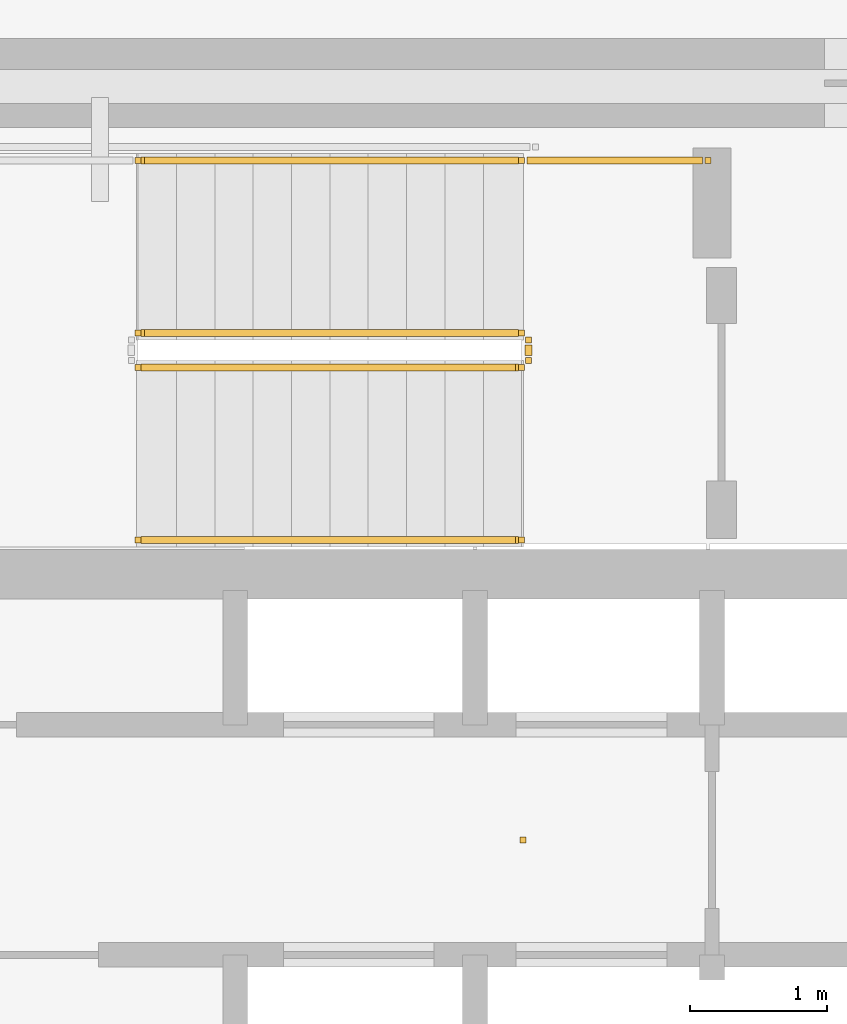
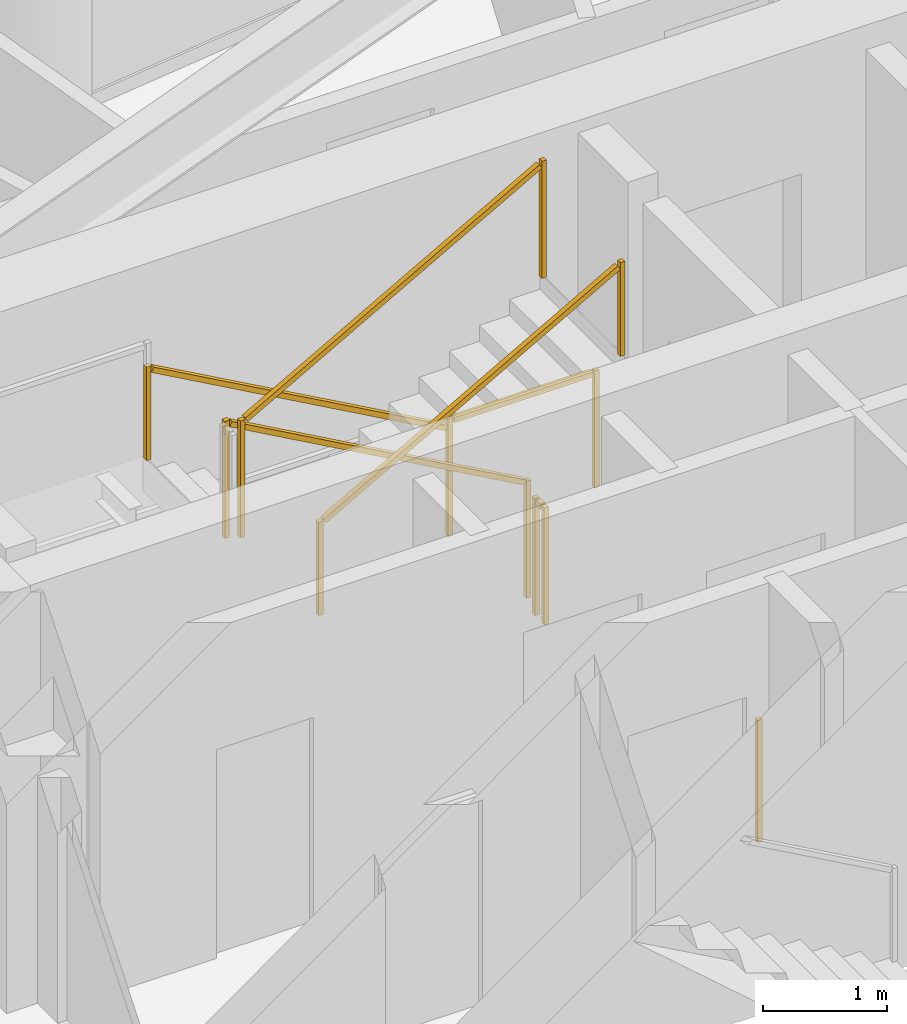
# One storey, part 9 of 10: 7 railings.
"""IFC4 building model written with IfcOpenShell, lengths in metres."""

from ifc_helpers import new_model, si_unit, direction, frame, origin, origin_2d, place, context, subcontext, project, spatial, rectangle, extrude, material, type_object, element, save


model = new_model("IFC4")

# Units and contexts
model_context = context("Model", 3, precision=1e-05, world=origin(), true_north=direction((0.0, 1.0)))
body_context = subcontext(model_context, "Body", "Model", "MODEL_VIEW")
ifc_project = project(units=[si_unit("LENGTHUNIT", "METRE"), si_unit("AREAUNIT", "SQUARE_METRE"), si_unit("VOLUMEUNIT", "CUBIC_METRE"), si_unit("PLANEANGLEUNIT", "RADIAN"), si_unit("MASSUNIT", "GRAM", prefix="KILO")], contexts=[model_context])

# Site, building, storey
site_placement = place(None, origin())
site = spatial("IfcSite", under=ifc_project, at=site_placement, CompositionType="ELEMENT")
building_placement = place(site_placement, origin())
building = spatial("IfcBuilding", under=site, at=building_placement, Name="Yunling Apex Tower", CompositionType="ELEMENT")
storey_placement = place(building_placement, frame((0.0, 0.0, 158.75)))
storey = spatial("IfcBuildingStorey", under=building, at=storey_placement, Name="L38", CompositionType="ELEMENT", Elevation=158.75)

# Railings
ifc_material_1 = material(Name="Bronze anodised aluminium", Category="aluminium")
railing_type_1 = type_object("IfcRailingType", Name="RL-BAL-1200", PredefinedType="BALUSTRADE", material=ifc_material_1)
railing_1_placement = place(storey_placement, origin())
element("IfcRailing", 1, at=railing_1_placement, inside=storey, type_object=railing_type_1, Name="RL-TATR-L38", PredefinedType="BALUSTRADE", context=body_context, shape_type="SweptSolid", body=[
    extrude(rectangle(XDim=0.0439453125, YDim=0.0439453125, at=origin_2d()), origin(), (0.0, 0.0, 1.0), 1.199951171875),
])
ifc_material_2 = material(Name="Steel Q355B", Category="steel")
railing_type_2 = type_object("IfcRailingType", Name="RL-GRD-1150", PredefinedType="GUARDRAIL", material=ifc_material_2)
railing_2_placement = place(storey_placement, frame((-0.010009765625, 3.699951171875, 0.15673828125)))
element("IfcRailing", 2, at=railing_2_placement, inside=storey, type_object=railing_type_2, Name="L38 ST-1 stair guard 1", PredefinedType="GUARDRAIL", context=body_context, shape_type="SweptSolid", body=[
    extrude(rectangle(XDim=0.0439453125, YDim=0.0439453125, at=origin_2d()), origin(), (0.0, 0.0, 1.0), 1.14990234375),
    extrude(rectangle(XDim=0.0439453125, YDim=0.0439453125, at=origin_2d()), frame((-2.800048828125, 0.0, 1.568359375)), (0.0, 0.0, 1.0), 1.14990234375),
    extrude(rectangle(XDim=0.050048828125, YDim=0.050048828125, at=origin_2d()), frame((-0.033447265625, 0.0, 1.1435546875), z_axis=(-0.872461907711, 0.0, 0.488682125306), x_axis=(0.0, -1.0, 0.0)), (0.0, 0.0, 1.0), 3.1328125),
])
railing_3_placement = place(storey_placement, frame((-2.81005859375, 3.449951171875, 1.8818359375)))
element("IfcRailing", 3, at=railing_3_placement, inside=storey, type_object=railing_type_2, Name="L38 ST-1 stair guard 4", PredefinedType="GUARDRAIL", context=body_context, shape_type="SweptSolid", body=[
    extrude(rectangle(XDim=0.0439453125, YDim=0.0439453125, at=origin_2d()), origin(), (0.0, 0.0, 1.0), 1.14990234375),
    extrude(rectangle(XDim=0.0439453125, YDim=0.0439453125, at=origin_2d()), frame((2.800048828125, 0.0, 1.568115234375)), (0.0, 0.0, 1.0), 1.14990234375),
    extrude(rectangle(XDim=0.050048828125, YDim=0.050048828125, at=origin_2d()), frame((0.033447265625, 0.0, 1.1435546875), z_axis=(0.872494340497, 0.0, 0.48862421737), x_axis=(0.0, 1.0, 0.0)), (0.0, 0.0, 1.0), 3.132568359375),
])
railing_4_placement = place(storey_placement, frame((0.0400390625, 3.64990234375, 0.0)))
element("IfcRailing", 4, at=railing_4_placement, inside=storey, type_object=railing_type_2, Name="L38 ST-1 stair guard 5", PredefinedType="GUARDRAIL", context=body_context, shape_type="SweptSolid", body=[
    extrude(rectangle(XDim=0.0439453125, YDim=0.0439453125, at=origin_2d()), origin(), (0.0, 0.0, 1.0), 1.14990234375),
    extrude(rectangle(XDim=0.0439453125, YDim=0.0439453125, at=origin_2d()), frame((0.0, -0.14990234375, 0.0)), (0.0, 0.0, 1.0), 1.14990234375),
    extrude(rectangle(XDim=0.050048828125, YDim=0.050048828125, at=origin_2d()), frame((0.0, -0.038330078125, 1.125), z_axis=(0.0, -1.0, 0.0), x_axis=(1.0, 0.0, 0.0)), (0.0, 0.0, 1.0), 0.0732421875),
])
railing_5_placement = place(storey_placement, frame((1.35009765625, 4.9599609375, 0.0)))
element("IfcRailing", 5, at=railing_5_placement, inside=storey, type_object=railing_type_2, Name="L38 ST-1 stair guard 6", PredefinedType="GUARDRAIL", context=body_context, shape_type="SweptSolid", body=[
    extrude(rectangle(XDim=0.0439453125, YDim=0.0439453125, at=origin_2d()), origin(), (0.0, 0.0, 1.0), 1.14990234375),
    extrude(rectangle(XDim=0.0439453125, YDim=0.0439453125, at=origin_2d()), frame((-1.360107421875, 0.0, 0.0)), (0.0, 0.0, 1.0), 1.14990234375),
    extrude(rectangle(XDim=0.050048828125, YDim=0.050048828125, at=origin_2d()), frame((-0.038330078125, 0.0, 1.125), z_axis=(-1.0, 0.0, 0.0), x_axis=(0.0, -1.0, 0.0)), (0.0, 0.0, 1.0), 1.283447265625),
])
ifc_material_3 = material(Name="Silver anodised aluminium", Category="aluminium")
railing_type_3 = type_object("IfcRailingType", Name="RL-HND-900", PredefinedType="HANDRAIL", material=ifc_material_3)
railing_6_placement = place(storey_placement, frame((-0.010009765625, 4.9599609375, 0.15673828125)))
element("IfcRailing", 6, at=railing_6_placement, inside=storey, type_object=railing_type_3, Name="L38 ST-1 stair handrail 1", PredefinedType="HANDRAIL", context=body_context, shape_type="SweptSolid", body=[
    extrude(rectangle(XDim=0.0439453125, YDim=0.0439453125, at=origin_2d()), origin(), (0.0, 0.0, 1.0), 0.919921875),
    extrude(rectangle(XDim=0.0439453125, YDim=0.0439453125, at=origin_2d()), frame((-2.800048828125, 0.0, 1.568359375)), (0.0, 0.0, 1.0), 0.919921875),
    extrude(rectangle(XDim=0.050048828125, YDim=0.050048828125, at=origin_2d()), frame((-0.033447265625, 0.0, 0.91357421875), z_axis=(-0.872461907711, 0.0, 0.488682125306), x_axis=(0.0, -1.0, 0.0)), (0.0, 0.0, 1.0), 3.1328125),
])
railing_7_placement = place(storey_placement, frame((-2.81005859375, 2.18994140625, 1.8818359375)))
element("IfcRailing", 7, at=railing_7_placement, inside=storey, type_object=railing_type_3, Name="L38 ST-1 stair handrail 2", PredefinedType="HANDRAIL", context=body_context, shape_type="SweptSolid", body=[
    extrude(rectangle(XDim=0.0439453125, YDim=0.0439453125, at=origin_2d()), origin(), (0.0, 0.0, 1.0), 0.919921875),
    extrude(rectangle(XDim=0.0439453125, YDim=0.0439453125, at=origin_2d()), frame((2.800048828125, 0.0, 1.568115234375)), (0.0, 0.0, 1.0), 0.919921875),
    extrude(rectangle(XDim=0.050048828125, YDim=0.050048828125, at=origin_2d()), frame((0.033447265625, 0.0, 0.91357421875), z_axis=(0.872494340497, 0.0, 0.48862421737), x_axis=(0.0, 1.0, 0.0)), (0.0, 0.0, 1.0), 3.132568359375),
])

save(model, "model.ifc")
